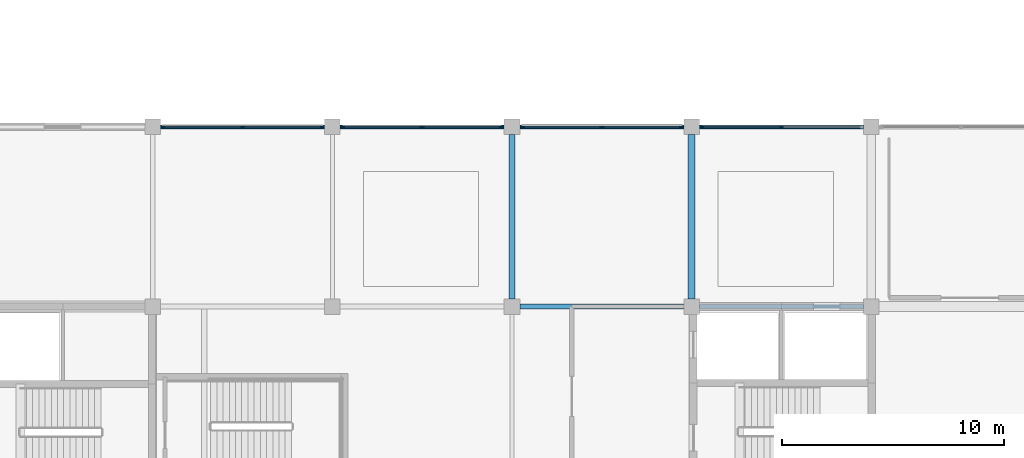
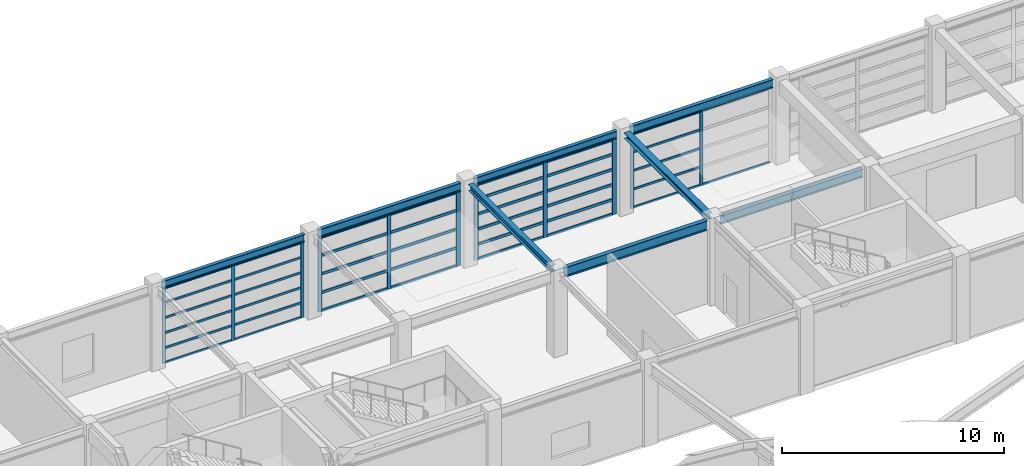
# One storey, part 24 of 56: 51 members, 8 beams, 4 elements without a shape of their own.
"""IFC4 building model written with IfcOpenShell, lengths in metres."""

import ifcopenshell
import ifcopenshell.guid

model = None  # the IFC model being written
_history = None  # IfcOwnerHistory: only IFC2X3 demands one
_inside = {}  # id of a spatial element -> (the spatial element, [elements in it])
_under = {}  # id of a project, library or spatial element -> (it, [spatial elements below it])
_declared = {}  # id of a project -> (the project, [libraries it declares])
_typed = {}  # id of a type object -> (the type object, [elements of that type])
_made_of = {}  # id of a material, layer set ... -> (it, [elements and type objects made of it])


def new_model(schema):
    """Start an empty IFC model of exactly this schema.

    Asked for "IFC4X3", IfcOpenShell would pick the latest addendum, in which some entities
    have other attributes; the version numbers below select the first issue.
    IFC2X3 requires an IfcOwnerHistory on every rooted entity: one is made here for all.
    """
    global model, _history
    if schema == "IFC4X3":
        model = ifcopenshell.file(schema_version=(4, 3, 0, 0))
    else:
        model = ifcopenshell.file(schema=schema)
    _inside.clear()
    _under.clear()
    _declared.clear()
    _typed.clear()
    _made_of.clear()
    _history = None
    if model.schema == "IFC2X3":
        org = make("IfcOrganization", Name="unknown")
        user = make(
            "IfcPersonAndOrganization",
            ThePerson=make("IfcPerson", FamilyName="unknown"),
            TheOrganization=org,
        )
        app = make(
            "IfcApplication",
            ApplicationDeveloper=org,
            Version="unknown",
            ApplicationFullName="unknown",
            ApplicationIdentifier="unknown",
        )
        _history = make(
            "IfcOwnerHistory",
            OwningUser=user,
            OwningApplication=app,
            ChangeAction="ADDED",
            CreationDate=0,
        )
    return model


def make(cls, **values):
    """One entity of the class cls with the attributes given. An attribute that is None is left unset."""
    return model.create_entity(
        cls, **{name: value for name, value in values.items() if value is not None}
    )


def rooted(cls, **values):
    """An entity with a GlobalId (a new one), such as an element, a storey or a relation."""
    return make(cls, GlobalId=ifcopenshell.guid.new(), OwnerHistory=_history, **values)


def si_unit(unit_type, name, prefix=None):
    """IfcSIUnit, for example si_unit("LENGTHUNIT", "METRE", prefix="MILLI")."""
    return make("IfcSIUnit", UnitType=unit_type, Prefix=prefix, Name=name)


def assignment(units):
    """IfcUnitAssignment: the units of a project."""
    return None if units is None else make("IfcUnitAssignment", Units=units)


def point(xyz):
    """IfcCartesianPoint."""
    return None if xyz is None else make("IfcCartesianPoint", Coordinates=xyz)


def direction(xyz):
    """IfcDirection."""
    return None if xyz is None else make("IfcDirection", DirectionRatios=xyz)


def frame(location, z_axis=None, x_axis=None):
    """IfcAxis2Placement3D, a coordinate frame: its origin and axes. An axis left out is left unset."""
    return make(
        "IfcAxis2Placement3D",
        Location=point(location),
        Axis=direction(z_axis),
        RefDirection=direction(x_axis),
    )


def frame_2d(location, x_axis=None):
    """IfcAxis2Placement2D, a coordinate frame in the plane: its origin and x axis."""
    return make(
        "IfcAxis2Placement2D", Location=point(location), RefDirection=direction(x_axis)
    )


def origin():
    """The frame at (0, 0, 0) with its axes left unset."""
    return frame((0.0, 0.0, 0.0))


def origin_2d():
    """The frame at (0, 0) in the plane with its x axis left unset."""
    return frame_2d((0.0, 0.0))


def place(relative_to, where):
    """IfcLocalPlacement: puts the frame where relative to a parent placement (None: the world)."""
    return make(
        "IfcLocalPlacement", PlacementRelTo=relative_to, RelativePlacement=where
    )


def context(
    kind, dimensions, precision=None, world=None, true_north=None, identifier=None
):
    """IfcGeometricRepresentationContext, for example the 3D "Model" context."""
    return make(
        "IfcGeometricRepresentationContext",
        ContextIdentifier=identifier,
        ContextType=kind,
        CoordinateSpaceDimension=dimensions,
        Precision=precision,
        WorldCoordinateSystem=world,
        TrueNorth=true_north,
    )


def subcontext(parent, identifier, kind, view, scale=None):
    """IfcGeometricRepresentationSubContext, for example "Body" below "Model"."""
    return make(
        "IfcGeometricRepresentationSubContext",
        ContextIdentifier=identifier,
        ContextType=kind,
        ParentContext=parent,
        TargetScale=scale,
        TargetView=view,
    )


def project(units=None, contexts=None):
    """IfcProject with its units and contexts."""
    return rooted(
        "IfcProject",
        Name="project",
        RepresentationContexts=contexts,
        UnitsInContext=assignment(units),
    )


def spatial(cls, under=None, at=None, **own):
    """A site, building, storey or space (cls), placed at a placement, below another one or the project."""
    s = rooted(cls, ObjectPlacement=at, **own)
    if under is not None:
        _under.setdefault(under.id(), (under, []))[1].append(s)
    return s


def profile(cls, at=None, kind="AREA", **sizes):
    """A parametric profile (cls). Its sizes go by their IFC names, for example OverallWidth=200.0."""
    return make(cls, ProfileType=kind, Position=at, **sizes)


def rectangle(**sizes):
    """IfcRectangleProfileDef."""
    return profile("IfcRectangleProfileDef", **sizes)


def i_section(**sizes):
    """IfcIShapeProfileDef."""
    return profile("IfcIShapeProfileDef", **sizes)


def extrude(swept, where, along, depth):
    """IfcExtrudedAreaSolid: the profile swept, set in the frame where, extruded along a direction by depth."""
    return make(
        "IfcExtrudedAreaSolid",
        SweptArea=swept,
        Position=where,
        ExtrudedDirection=direction(along),
        Depth=depth,
    )


def shape(context_of_items, identifier, shape_type, items):
    """IfcShapeRepresentation: the items that make up one representation, for example the "Body"."""
    return make(
        "IfcShapeRepresentation",
        ContextOfItems=context_of_items,
        RepresentationIdentifier=identifier,
        RepresentationType=shape_type,
        Items=items,
    )


def material(Name=None, Category=None):
    """IfcMaterial."""
    return make("IfcMaterial", Name=Name, Category=Category)


def material_profile(
    of_material, cross_section, Name=None, Category=None, Priority=None
):
    """IfcMaterialProfile: a cross section and its material."""
    return make(
        "IfcMaterialProfile",
        Name=Name,
        Material=of_material,
        Profile=cross_section,
        Priority=Priority,
        Category=Category,
    )


def profile_set(profiles, Name=None, composite=None):
    """IfcMaterialProfileSet."""
    return make(
        "IfcMaterialProfileSet",
        Name=Name,
        MaterialProfiles=profiles,
        CompositeProfile=composite,
    )


def made_of(thing, what):
    """Note that an element or type object is made of a material, layer set ...; save() writes the relation."""
    if what is not None:
        _made_of.setdefault(what.id(), (what, []))[1].append(thing)
    return thing


def type_object(cls, material=None, **own):
    """A type object (cls), such as IfcWallType, which elements share."""
    return made_of(rooted(cls, **own), material)


def element(
    cls,
    number,
    at=None,
    inside=None,
    cuts=None,
    type_object=None,
    material=None,
    context=None,
    identifier="Body",
    shape_type=None,
    held_by="IfcProductDefinitionShape",
    body=None,
    shapes=None,
    **own,
):
    """One element of the class cls, such as IfcWall. Its Tag is "e" and its number.

    at: its placement. inside: the storey or other place that contains it. cuts: it is an
    opening in that element (IfcRelVoidsElement). A single representation is given by context,
    identifier, shape_type and body (its items); several are given by shapes. held_by: the class
    of the entity that holds the representations. save() writes the other relations.
    """
    e = rooted(cls, Tag="e%d" % number, ObjectPlacement=at, **own)
    if body is not None:
        shapes = [shape(context, identifier, shape_type, body)]
    if shapes is not None:
        e.Representation = make(held_by, Representations=shapes)
    if inside is not None:
        _inside.setdefault(inside.id(), (inside, []))[1].append(e)
    if cuts is not None:
        rooted(
            "IfcRelVoidsElement", RelatingBuildingElement=cuts, RelatedOpeningElement=e
        )
    if type_object is not None:
        _typed.setdefault(type_object.id(), (type_object, []))[1].append(e)
    return made_of(e, material)


def aggregate(whole, parts):
    """IfcRelAggregates: a whole, such as a stair, and the parts it consists of."""
    return rooted("IfcRelAggregates", RelatingObject=whole, RelatedObjects=parts)


def save(model, path):
    """Write the relations noted so far, then the file.

    IfcRelAggregates (storeys below a building ...), IfcRelContainedInSpatialStructure (elements
    in a storey), IfcRelDefinesByType, IfcRelAssociatesMaterial and IfcRelDeclares: one each for
    every whole, place, type object, material and project.
    """
    for whole, parts in _under.values():
        aggregate(whole, parts)
    for where, things in _inside.values():
        rooted(
            "IfcRelContainedInSpatialStructure",
            RelatedElements=things,
            RelatingStructure=where,
        )
    for kind, things in _typed.values():
        rooted("IfcRelDefinesByType", RelatedObjects=things, RelatingType=kind)
    for what, things in _made_of.values():
        rooted("IfcRelAssociatesMaterial", RelatedObjects=things, RelatingMaterial=what)
    for by, libraries in _declared.values():
        rooted("IfcRelDeclares", RelatingContext=by, RelatedDefinitions=libraries)
    model.write(path)


model = new_model("IFC4")

# Units and contexts
model_context = context("Model", 3, precision=1e-05, world=origin(), true_north=direction((0.0, 1.0)))
body_context = subcontext(model_context, "Body", "Model", "MODEL_VIEW")
ifc_project = project(units=[si_unit("LENGTHUNIT", "METRE"), si_unit("AREAUNIT", "SQUARE_METRE"), si_unit("VOLUMEUNIT", "CUBIC_METRE"), si_unit("PLANEANGLEUNIT", "RADIAN"), si_unit("MASSUNIT", "GRAM", prefix="KILO")], contexts=[model_context])

# Site, building, storey
site_placement = place(None, origin())
site = spatial("IfcSite", under=ifc_project, at=site_placement, CompositionType="ELEMENT")
building_placement = place(site_placement, origin())
building = spatial("IfcBuilding", under=site, at=building_placement, Name="Parian Resonance Hall", CompositionType="ELEMENT")
storey_placement = place(building_placement, frame((0.0, 0.0, 5.39990234375)))
storey = spatial("IfcBuildingStorey", under=building, at=storey_placement, Name="L01", CompositionType="ELEMENT", Elevation=5.39990234375)

# Beams
ifc_material_1 = material(Name="Steel S355", Category="steel")
ifc_material_profile_1 = material_profile(ifc_material_1, i_section(OverallWidth=0.304931640625, OverallDepth=0.30810546875, WebThickness=0.010009765625, FlangeThickness=0.015380859375, FilletRadius=0.01513671875, at=origin_2d()), Name="W310x97")
ifc_profile_set_1 = profile_set([ifc_material_profile_1], Name="Steel S355")
beam_type_1 = type_object("IfcBeamType", Name="BM-W310x97", PredefinedType="BEAM", material=ifc_profile_set_1)
beam_1_placement = place(storey_placement, frame((56.699951171875, 81.35009765625, 4.406005859375), z_axis=(0.0, 1.0, 0.0), x_axis=(-1.0, 0.0, 0.0)))
element("IfcBeam", 1, at=beam_1_placement, inside=storey, type_object=beam_type_1, Name="GY-L01-0604", PredefinedType="BEAM", context=body_context, shape_type="SweptSolid", body=[
    extrude(i_section(OverallWidth=0.304931640625, OverallDepth=0.30810546875, WebThickness=0.010009765625, FlangeThickness=0.015380859375, FilletRadius=0.01513671875, at=origin_2d()), origin(), (0.0, 0.0, 1.0), 7.39990234375),
])
ifc_material_2 = material(Name="Steel S355", Category="steel")
ifc_material_profile_2 = material_profile(ifc_material_2, i_section(OverallWidth=0.2548828125, OverallDepth=0.35693359375, WebThickness=0.010498046875, FlangeThickness=0.018310546875, FilletRadius=0.01513671875, at=origin_2d()), Name="W360x101")
ifc_profile_set_2 = profile_set([ifc_material_profile_2], Name="Steel S355")
beam_type_2 = type_object("IfcBeamType", Name="BM-W360x101", PredefinedType="SPANDREL", material=ifc_profile_set_2)
beam_2_placement = place(storey_placement, frame((48.60009765625, 81.35009765625, 4.381591796875), z_axis=(0.0, 1.0, 0.0), x_axis=(-1.0, 0.0, 0.0)))
element("IfcBeam", 2, at=beam_2_placement, inside=storey, type_object=beam_type_2, Name="GY-L01-0602", PredefinedType="SPANDREL", context=body_context, shape_type="SweptSolid", body=[
    extrude(i_section(OverallWidth=0.2548828125, OverallDepth=0.35693359375, WebThickness=0.010498046875, FlangeThickness=0.018310546875, FilletRadius=0.01513671875, at=origin_2d()), origin(), (0.0, 0.0, 1.0), 7.39990234375),
])
ifc_material_3 = material(Name="Steel S355", Category="steel")
ifc_material_profile_3 = material_profile(ifc_material_3, i_section(OverallWidth=0.180908203125, OverallDepth=0.4169921875, WebThickness=0.010986328125, FlangeThickness=0.018310546875, FilletRadius=0.01513671875, at=origin_2d()), Name="W410x85")
ifc_profile_set_3 = profile_set([ifc_material_profile_3], Name="Steel S355")
beam_type_3 = type_object("IfcBeamType", Name="BM-W410x85", PredefinedType="SPANDREL", material=ifc_profile_set_3)
beam_3_placement = place(storey_placement, frame((32.75, 89.10009765625, 4.3515625), z_axis=(1.0, 0.0, 0.0), x_axis=(0.0, 1.0, 0.0)))
element("IfcBeam", 3, at=beam_3_placement, inside=storey, type_object=beam_type_3, Name="GX-L01-0531", PredefinedType="SPANDREL", context=body_context, shape_type="SweptSolid", body=[
    extrude(i_section(OverallWidth=0.180908203125, OverallDepth=0.4169921875, WebThickness=0.010986328125, FlangeThickness=0.018310546875, FilletRadius=0.01513671875, at=origin_2d()), origin(), (0.0, 0.0, 1.0), 7.39990234375),
])
beam_4_placement = place(storey_placement, frame((48.949951171875, 89.10009765625, 4.3515625), z_axis=(1.0, 0.0, 0.0), x_axis=(0.0, 1.0, 0.0)))
element("IfcBeam", 4, at=beam_4_placement, inside=storey, type_object=beam_type_3, Name="GX-L01-0537", PredefinedType="SPANDREL", context=body_context, shape_type="SweptSolid", body=[
    extrude(i_section(OverallWidth=0.180908203125, OverallDepth=0.4169921875, WebThickness=0.010986328125, FlangeThickness=0.018310546875, FilletRadius=0.01513671875, at=origin_2d()), origin(), (0.0, 0.0, 1.0), 7.400146484375),
])
ifc_material_4 = material(Name="Steel S355", Category="steel")
ifc_material_profile_4 = material_profile(ifc_material_4, i_section(OverallWidth=0.194091796875, OverallDepth=0.468994140625, WebThickness=0.0126953125, FlangeThickness=0.0205078125, FilletRadius=0.01513671875, at=origin_2d()), Name="W460x106")
ifc_profile_set_4 = profile_set([ifc_material_profile_4], Name="Steel S355")
beam_type_4 = type_object("IfcBeamType", Name="BM-W460x106", PredefinedType="SPANDREL", material=ifc_profile_set_4)
for number, where, z_axis, x_axis, name in (
    (5, (40.85009765625, 89.10009765625, 4.32568359375), (1.0, 0.0, 0.0), (0.0, 1.0, 0.0), "GX-L01-0534"),
    (6, (57.050048828125, 89.10009765625, 4.32568359375), (1.0, 0.0, 0.0), (0.0, 1.0, 0.0), "GX-L01-0540"),
):
    element("IfcBeam", number, at=place(storey_placement, frame(where, z_axis=z_axis, x_axis=x_axis)), inside=storey, type_object=beam_type_4, Name=name, PredefinedType="SPANDREL", context=body_context, shape_type="SweptSolid", body=[
        extrude(i_section(OverallWidth=0.194091796875, OverallDepth=0.468994140625, WebThickness=0.0126953125, FlangeThickness=0.0205078125, FilletRadius=0.01513671875, at=origin_2d()), origin(), (0.0, 0.0, 1.0), 7.39990234375),
    ])
ifc_material_5 = material(Name="Steel S355", Category="steel")
ifc_material_profile_5 = material_profile(ifc_material_5, i_section(OverallWidth=0.19091796875, OverallDepth=0.4599609375, WebThickness=0.010009765625, FlangeThickness=0.01611328125, FilletRadius=0.01513671875, at=origin_2d()), Name="W460x82")
ifc_profile_set_5 = profile_set([ifc_material_profile_5], Name="Steel S355")
beam_type_5 = type_object("IfcBeamType", Name="BM-W460x82", PredefinedType="BEAM", material=ifc_profile_set_5)
beam_5_placement = place(storey_placement, frame((57.050048828125, 81.0, 4.330078125), z_axis=(1.0, 0.0, 0.0), x_axis=(0.0, 1.0, 0.0)))
element("IfcBeam", 7, at=beam_5_placement, inside=storey, type_object=beam_type_5, Name="GX-L01-0539", PredefinedType="BEAM", context=body_context, shape_type="SweptSolid", body=[
    extrude(i_section(OverallWidth=0.19091796875, OverallDepth=0.4599609375, WebThickness=0.010009765625, FlangeThickness=0.01611328125, FilletRadius=0.01513671875, at=origin_2d()), origin(), (0.0, 0.0, 1.0), 7.39990234375),
])
ifc_material_6 = material(Name="Steel S355", Category="steel")
ifc_material_profile_6 = material_profile(ifc_material_6, i_section(OverallWidth=0.208984375, OverallDepth=0.532958984375, WebThickness=0.01025390625, FlangeThickness=0.015625, FilletRadius=0.017822265625, at=origin_2d()), Name="W530x92")
ifc_profile_set_6 = profile_set([ifc_material_profile_6], Name="Steel S355")
beam_type_6 = type_object("IfcBeamType", Name="BM-W530x92", PredefinedType="BEAM", material=ifc_profile_set_6)
beam_6_placement = place(storey_placement, frame((48.949951171875, 81.0, 4.293701171875), z_axis=(1.0, 0.0, 0.0), x_axis=(0.0, 1.0, 0.0)))
element("IfcBeam", 8, at=beam_6_placement, inside=storey, type_object=beam_type_6, Name="GX-L01-0536", PredefinedType="BEAM", context=body_context, shape_type="SweptSolid", body=[
    extrude(i_section(OverallWidth=0.208984375, OverallDepth=0.532958984375, WebThickness=0.01025390625, FlangeThickness=0.015625, FilletRadius=0.017822265625, at=origin_2d()), origin(), (0.0, 0.0, 1.0), 7.400146484375),
])

# Curtain wall, members
ifc_material_7 = material(Name="Bronze-anodised aluminium frame", Category="aluminium")
curtain_wall_type_1 = type_object("IfcCurtainWallType", Name="CW-SYS-06", PredefinedType="NOTDEFINED", material=ifc_material_7)
curtain_wall_1_placement = place(storey_placement, origin())
curtain_wall_1 = element("IfcCurtainWall", 9, at=curtain_wall_1_placement, inside=storey, type_object=curtain_wall_type_1, Name="Curtain wall CW-L01-077", PredefinedType="NOTDEFINED")
ifc_material_8 = material(Name="Bronze-anodised aluminium frame", Category="aluminium")
ifc_material_profile_7 = material_profile(ifc_material_8, rectangle(XDim=0.06494140625, YDim=0.159912109375, at=origin_2d()), Name="CWM-65x160")
ifc_profile_set_7 = profile_set([ifc_material_profile_7], Name="Bronze-anodised aluminium frame")
member_type_1 = type_object("IfcMemberType", Name="CWM-65x160", PredefinedType="MULLION", material=ifc_profile_set_7)
member_1_placement = place(storey_placement, frame((32.862548828125, 89.10009765625, -0.0078125), z_axis=(0.0, 0.0, 1.0), x_axis=(0.0, 1.0, 0.0)))
member_1 = element("IfcMember", 10, at=member_1_placement, type_object=member_type_1, Name="CW-06 mullion 1", PredefinedType="MULLION", context=body_context, shape_type="SweptSolid", body=[
    extrude(rectangle(XDim=0.06494140625, YDim=0.159912109375, at=origin_2d()), origin(), (0.0, 0.0, 1.0), 4.155029296875),
])
member_2_placement = place(storey_placement, frame((36.449951171875, 89.10009765625, -0.0078125), z_axis=(0.0, 0.0, 1.0), x_axis=(0.0, 1.0, 0.0)))
member_2 = element("IfcMember", 11, at=member_2_placement, type_object=member_type_1, Name="CW-06 mullion 2", PredefinedType="MULLION", context=body_context, shape_type="SweptSolid", body=[
    extrude(rectangle(XDim=0.06494140625, YDim=0.159912109375, at=origin_2d()), origin(), (0.0, 0.0, 1.0), 4.155029296875),
])
member_3_placement = place(storey_placement, frame((40.03759765625, 89.10009765625, -0.0078125), z_axis=(0.0, 0.0, 1.0), x_axis=(0.0, 1.0, 0.0)))
member_3 = element("IfcMember", 12, at=member_3_placement, type_object=member_type_1, Name="CW-06 mullion 3", PredefinedType="MULLION", context=body_context, shape_type="SweptSolid", body=[
    extrude(rectangle(XDim=0.06494140625, YDim=0.159912109375, at=origin_2d()), origin(), (0.0, 0.0, 1.0), 4.155029296875),
])

ifc_material_9 = material(Name="Bronze-anodised aluminium frame", Category="aluminium")
curtain_wall_type_2 = type_object("IfcCurtainWallType", Name="CW-SYS-03", PredefinedType="NOTDEFINED", material=ifc_material_9)
curtain_wall_2_placement = place(storey_placement, origin())
curtain_wall_2 = element("IfcCurtainWall", 13, at=curtain_wall_2_placement, inside=storey, type_object=curtain_wall_type_2, Name="Curtain wall CW-L01-087", PredefinedType="NOTDEFINED")
member_4_placement = place(storey_placement, frame((57.16259765625, 89.10009765625, -0.0078125), z_axis=(0.0, 0.0, 1.0), x_axis=(0.0, 1.0, 0.0)))
member_4 = element("IfcMember", 14, at=member_4_placement, type_object=member_type_1, Name="CW-03 mullion 1", PredefinedType="MULLION", context=body_context, shape_type="SweptSolid", body=[
    extrude(rectangle(XDim=0.06494140625, YDim=0.159912109375, at=origin_2d()), origin(), (0.0, 0.0, 1.0), 4.10302734375),
])
member_5_placement = place(storey_placement, frame((60.75, 89.10009765625, -0.0078125), z_axis=(0.0, 0.0, 1.0), x_axis=(0.0, 1.0, 0.0)))
member_5 = element("IfcMember", 15, at=member_5_placement, type_object=member_type_1, Name="CW-03 mullion 2", PredefinedType="MULLION", context=body_context, shape_type="SweptSolid", body=[
    extrude(rectangle(XDim=0.06494140625, YDim=0.159912109375, at=origin_2d()), origin(), (0.0, 0.0, 1.0), 4.10302734375),
])

ifc_material_10 = material(Name="Bronze-anodised aluminium frame", Category="aluminium")
curtain_wall_type_3 = type_object("IfcCurtainWallType", Name="CW-SYS-01", PredefinedType="NOTDEFINED", material=ifc_material_10)
curtain_wall_3_placement = place(storey_placement, origin())
curtain_wall_3 = element("IfcCurtainWall", 16, at=curtain_wall_3_placement, inside=storey, type_object=curtain_wall_type_3, Name="Curtain wall CW-L01-080", PredefinedType="NOTDEFINED")
ifc_material_11 = material(Name="Bronze-anodised aluminium frame", Category="aluminium")
ifc_material_profile_8 = material_profile(ifc_material_11, rectangle(XDim=0.074951171875, YDim=0.199951171875, at=origin_2d()), Name="CWM-75x200")
ifc_profile_set_8 = profile_set([ifc_material_profile_8], Name="Bronze-anodised aluminium frame")
member_type_2 = type_object("IfcMemberType", Name="CWM-75x200", PredefinedType="MULLION", material=ifc_profile_set_8)
member_6_placement = place(storey_placement, frame((40.967529296875, 89.10009765625, -0.0078125), z_axis=(0.0, 0.0, 1.0), x_axis=(0.0, 1.0, 0.0)))
member_6 = element("IfcMember", 17, at=member_6_placement, type_object=member_type_2, Name="CW-01 mullion 1", PredefinedType="MULLION", context=body_context, shape_type="SweptSolid", body=[
    extrude(rectangle(XDim=0.074951171875, YDim=0.199951171875, at=origin_2d()), origin(), (0.0, 0.0, 1.0), 4.10302734375),
])
member_7_placement = place(storey_placement, frame((44.550048828125, 89.10009765625, -0.0078125), z_axis=(0.0, 0.0, 1.0), x_axis=(0.0, 1.0, 0.0)))
member_7 = element("IfcMember", 18, at=member_7_placement, type_object=member_type_2, Name="CW-01 mullion 2", PredefinedType="MULLION", context=body_context, shape_type="SweptSolid", body=[
    extrude(rectangle(XDim=0.074951171875, YDim=0.199951171875, at=origin_2d()), origin(), (0.0, 0.0, 1.0), 4.10302734375),
])
member_8_placement = place(storey_placement, frame((48.132568359375, 89.10009765625, -0.0078125), z_axis=(0.0, 0.0, 1.0), x_axis=(0.0, 1.0, 0.0)))
member_8 = element("IfcMember", 19, at=member_8_placement, type_object=member_type_2, Name="CW-01 mullion 3", PredefinedType="MULLION", context=body_context, shape_type="SweptSolid", body=[
    extrude(rectangle(XDim=0.074951171875, YDim=0.199951171875, at=origin_2d()), origin(), (0.0, 0.0, 1.0), 4.10302734375),
])

ifc_material_12 = material(Name="Bronze-anodised aluminium frame", Category="aluminium")
curtain_wall_type_4 = type_object("IfcCurtainWallType", Name="CW-SYS-02", PredefinedType="NOTDEFINED", material=ifc_material_12)
curtain_wall_4_placement = place(storey_placement, origin())
curtain_wall_4 = element("IfcCurtainWall", 20, at=curtain_wall_4_placement, inside=storey, type_object=curtain_wall_type_4, Name="Curtain wall CW-L01-084", PredefinedType="NOTDEFINED")
member_9_placement = place(storey_placement, frame((49.0673828125, 89.10009765625, -0.0078125), z_axis=(0.0, 0.0, 1.0), x_axis=(0.0, 1.0, 0.0)))
member_9 = element("IfcMember", 21, at=member_9_placement, type_object=member_type_2, Name="CW-02 mullion 1", PredefinedType="MULLION", context=body_context, shape_type="SweptSolid", body=[
    extrude(rectangle(XDim=0.074951171875, YDim=0.199951171875, at=origin_2d()), origin(), (0.0, 0.0, 1.0), 4.155029296875),
])
member_10_placement = place(storey_placement, frame((52.64990234375, 89.10009765625, -0.0078125), z_axis=(0.0, 0.0, 1.0), x_axis=(0.0, 1.0, 0.0)))
member_10 = element("IfcMember", 22, at=member_10_placement, type_object=member_type_2, Name="CW-02 mullion 2", PredefinedType="MULLION", context=body_context, shape_type="SweptSolid", body=[
    extrude(rectangle(XDim=0.074951171875, YDim=0.199951171875, at=origin_2d()), origin(), (0.0, 0.0, 1.0), 4.155029296875),
])
member_11_placement = place(storey_placement, frame((56.232421875, 89.10009765625, -0.0078125), z_axis=(0.0, 0.0, 1.0), x_axis=(0.0, 1.0, 0.0)))
member_11 = element("IfcMember", 23, at=member_11_placement, type_object=member_type_2, Name="CW-02 mullion 3", PredefinedType="MULLION", context=body_context, shape_type="SweptSolid", body=[
    extrude(rectangle(XDim=0.074951171875, YDim=0.199951171875, at=origin_2d()), origin(), (0.0, 0.0, 1.0), 4.155029296875),
])

# Member
ifc_material_13 = material(Name="Bronze-anodised aluminium frame", Category="aluminium")
ifc_material_profile_9 = material_profile(ifc_material_13, rectangle(XDim=0.06494140625, YDim=0.1201171875, at=origin_2d()), Name="CWT-65x120")
ifc_profile_set_9 = profile_set([ifc_material_profile_9], Name="Bronze-anodised aluminium frame")
member_type_3 = type_object("IfcMemberType", Name="CWT-65x120", PredefinedType="USERDEFINED", material=ifc_profile_set_9)
member_12_placement = place(storey_placement, frame((32.89501953125, 89.10009765625, 0.024658203125), z_axis=(1.0, 0.0, 0.0), x_axis=(0.0, 1.0, 0.0)))
member_12 = element("IfcMember", 24, at=member_12_placement, type_object=member_type_3, Name="CW-06 transom 1.1", ObjectType="TRANSOM", PredefinedType="USERDEFINED", context=body_context, shape_type="SweptSolid", body=[
    extrude(rectangle(XDim=0.06494140625, YDim=0.1201171875, at=origin_2d()), origin(), (0.0, 0.0, 1.0), 3.5224609375),
])

member_13_placement = place(storey_placement, frame((32.89501953125, 89.10009765625, 0.827392578125), z_axis=(1.0, 0.0, 0.0), x_axis=(0.0, 1.0, 0.0)))
member_13 = element("IfcMember", 25, at=member_13_placement, type_object=member_type_3, Name="CW-06 transom 1.2", ObjectType="TRANSOM", PredefinedType="USERDEFINED", context=body_context, shape_type="SweptSolid", body=[
    extrude(rectangle(XDim=0.06494140625, YDim=0.1201171875, at=origin_2d()), origin(), (0.0, 0.0, 1.0), 3.5224609375),
])

member_14_placement = place(storey_placement, frame((32.89501953125, 89.10009765625, 1.65478515625), z_axis=(1.0, 0.0, 0.0), x_axis=(0.0, 1.0, 0.0)))
member_14 = element("IfcMember", 26, at=member_14_placement, type_object=member_type_3, Name="CW-06 transom 1.3", ObjectType="TRANSOM", PredefinedType="USERDEFINED", context=body_context, shape_type="SweptSolid", body=[
    extrude(rectangle(XDim=0.06494140625, YDim=0.1201171875, at=origin_2d()), origin(), (0.0, 0.0, 1.0), 3.5224609375),
])

member_15_placement = place(storey_placement, frame((32.89501953125, 89.10009765625, 2.482177734375), z_axis=(1.0, 0.0, 0.0), x_axis=(0.0, 1.0, 0.0)))
member_15 = element("IfcMember", 27, at=member_15_placement, type_object=member_type_3, Name="CW-06 transom 1.4", ObjectType="TRANSOM", PredefinedType="USERDEFINED", context=body_context, shape_type="SweptSolid", body=[
    extrude(rectangle(XDim=0.06494140625, YDim=0.1201171875, at=origin_2d()), origin(), (0.0, 0.0, 1.0), 3.5224609375),
])

member_16_placement = place(storey_placement, frame((32.89501953125, 89.10009765625, 3.309814453125), z_axis=(1.0, 0.0, 0.0), x_axis=(0.0, 1.0, 0.0)))
member_16 = element("IfcMember", 28, at=member_16_placement, type_object=member_type_3, Name="CW-06 transom 1.5", ObjectType="TRANSOM", PredefinedType="USERDEFINED", context=body_context, shape_type="SweptSolid", body=[
    extrude(rectangle(XDim=0.06494140625, YDim=0.1201171875, at=origin_2d()), origin(), (0.0, 0.0, 1.0), 3.5224609375),
])

member_17_placement = place(storey_placement, frame((32.89501953125, 89.10009765625, 4.114501953125), z_axis=(1.0, 0.0, 0.0), x_axis=(0.0, 1.0, 0.0)))
member_17 = element("IfcMember", 29, at=member_17_placement, type_object=member_type_3, Name="CW-06 transom 1.6", ObjectType="TRANSOM", PredefinedType="USERDEFINED", context=body_context, shape_type="SweptSolid", body=[
    extrude(rectangle(XDim=0.06494140625, YDim=0.1201171875, at=origin_2d()), origin(), (0.0, 0.0, 1.0), 3.5224609375),
])

member_18_placement = place(storey_placement, frame((36.482421875, 89.10009765625, 0.024658203125), z_axis=(1.0, 0.0, 0.0), x_axis=(0.0, 1.0, 0.0)))
member_18 = element("IfcMember", 30, at=member_18_placement, type_object=member_type_3, Name="CW-06 transom 2.1", ObjectType="TRANSOM", PredefinedType="USERDEFINED", context=body_context, shape_type="SweptSolid", body=[
    extrude(rectangle(XDim=0.06494140625, YDim=0.1201171875, at=origin_2d()), origin(), (0.0, 0.0, 1.0), 3.5224609375),
])

member_19_placement = place(storey_placement, frame((36.482421875, 89.10009765625, 0.827392578125), z_axis=(1.0, 0.0, 0.0), x_axis=(0.0, 1.0, 0.0)))
member_19 = element("IfcMember", 31, at=member_19_placement, type_object=member_type_3, Name="CW-06 transom 2.2", ObjectType="TRANSOM", PredefinedType="USERDEFINED", context=body_context, shape_type="SweptSolid", body=[
    extrude(rectangle(XDim=0.06494140625, YDim=0.1201171875, at=origin_2d()), origin(), (0.0, 0.0, 1.0), 3.5224609375),
])

member_20_placement = place(storey_placement, frame((36.482421875, 89.10009765625, 1.65478515625), z_axis=(1.0, 0.0, 0.0), x_axis=(0.0, 1.0, 0.0)))
member_20 = element("IfcMember", 32, at=member_20_placement, type_object=member_type_3, Name="CW-06 transom 2.3", ObjectType="TRANSOM", PredefinedType="USERDEFINED", context=body_context, shape_type="SweptSolid", body=[
    extrude(rectangle(XDim=0.06494140625, YDim=0.1201171875, at=origin_2d()), origin(), (0.0, 0.0, 1.0), 3.5224609375),
])

member_21_placement = place(storey_placement, frame((36.482421875, 89.10009765625, 2.482177734375), z_axis=(1.0, 0.0, 0.0), x_axis=(0.0, 1.0, 0.0)))
member_21 = element("IfcMember", 33, at=member_21_placement, type_object=member_type_3, Name="CW-06 transom 2.4", ObjectType="TRANSOM", PredefinedType="USERDEFINED", context=body_context, shape_type="SweptSolid", body=[
    extrude(rectangle(XDim=0.06494140625, YDim=0.1201171875, at=origin_2d()), origin(), (0.0, 0.0, 1.0), 3.5224609375),
])

member_22_placement = place(storey_placement, frame((36.482421875, 89.10009765625, 3.309814453125), z_axis=(1.0, 0.0, 0.0), x_axis=(0.0, 1.0, 0.0)))
member_22 = element("IfcMember", 34, at=member_22_placement, type_object=member_type_3, Name="CW-06 transom 2.5", ObjectType="TRANSOM", PredefinedType="USERDEFINED", context=body_context, shape_type="SweptSolid", body=[
    extrude(rectangle(XDim=0.06494140625, YDim=0.1201171875, at=origin_2d()), origin(), (0.0, 0.0, 1.0), 3.5224609375),
])

member_23_placement = place(storey_placement, frame((36.482421875, 89.10009765625, 4.114501953125), z_axis=(1.0, 0.0, 0.0), x_axis=(0.0, 1.0, 0.0)))
member_23 = element("IfcMember", 35, at=member_23_placement, type_object=member_type_3, Name="CW-06 transom 2.6", ObjectType="TRANSOM", PredefinedType="USERDEFINED", context=body_context, shape_type="SweptSolid", body=[
    extrude(rectangle(XDim=0.06494140625, YDim=0.1201171875, at=origin_2d()), origin(), (0.0, 0.0, 1.0), 3.5224609375),
])

aggregate(curtain_wall_1, [member_1, member_2, member_3, member_12, member_13, member_14, member_15, member_16, member_17, member_18, member_19, member_20, member_21, member_22, member_23])

member_24_placement = place(storey_placement, frame((57.195068359375, 89.10009765625, 0.024658203125), z_axis=(1.0, 0.0, 0.0), x_axis=(0.0, 1.0, 0.0)))
member_24 = element("IfcMember", 36, at=member_24_placement, type_object=member_type_3, Name="CW-03 transom 1.1", ObjectType="TRANSOM", PredefinedType="USERDEFINED", context=body_context, shape_type="SweptSolid", body=[
    extrude(rectangle(XDim=0.06494140625, YDim=0.1201171875, at=origin_2d()), origin(), (0.0, 0.0, 1.0), 3.5224609375),
])

member_25_placement = place(storey_placement, frame((57.195068359375, 89.10009765625, 1.021484375), z_axis=(1.0, 0.0, 0.0), x_axis=(0.0, 1.0, 0.0)))
member_25 = element("IfcMember", 37, at=member_25_placement, type_object=member_type_3, Name="CW-03 transom 1.2", ObjectType="TRANSOM", PredefinedType="USERDEFINED", context=body_context, shape_type="SweptSolid", body=[
    extrude(rectangle(XDim=0.06494140625, YDim=0.1201171875, at=origin_2d()), origin(), (0.0, 0.0, 1.0), 3.5224609375),
])

member_26_placement = place(storey_placement, frame((57.195068359375, 89.10009765625, 2.04248046875), z_axis=(1.0, 0.0, 0.0), x_axis=(0.0, 1.0, 0.0)))
member_26 = element("IfcMember", 38, at=member_26_placement, type_object=member_type_3, Name="CW-03 transom 1.3", ObjectType="TRANSOM", PredefinedType="USERDEFINED", context=body_context, shape_type="SweptSolid", body=[
    extrude(rectangle(XDim=0.06494140625, YDim=0.1201171875, at=origin_2d()), origin(), (0.0, 0.0, 1.0), 3.5224609375),
])

member_27_placement = place(storey_placement, frame((57.195068359375, 89.10009765625, 3.063720703125), z_axis=(1.0, 0.0, 0.0), x_axis=(0.0, 1.0, 0.0)))
member_27 = element("IfcMember", 39, at=member_27_placement, type_object=member_type_3, Name="CW-03 transom 1.4", ObjectType="TRANSOM", PredefinedType="USERDEFINED", context=body_context, shape_type="SweptSolid", body=[
    extrude(rectangle(XDim=0.06494140625, YDim=0.1201171875, at=origin_2d()), origin(), (0.0, 0.0, 1.0), 3.5224609375),
])

member_28_placement = place(storey_placement, frame((57.195068359375, 89.10009765625, 4.0625), z_axis=(1.0, 0.0, 0.0), x_axis=(0.0, 1.0, 0.0)))
member_28 = element("IfcMember", 40, at=member_28_placement, type_object=member_type_3, Name="CW-03 transom 1.5", ObjectType="TRANSOM", PredefinedType="USERDEFINED", context=body_context, shape_type="SweptSolid", body=[
    extrude(rectangle(XDim=0.06494140625, YDim=0.1201171875, at=origin_2d()), origin(), (0.0, 0.0, 1.0), 3.5224609375),
])

member_29_placement = place(storey_placement, frame((60.782470703125, 89.10009765625, 0.024658203125), z_axis=(1.0, 0.0, 0.0), x_axis=(0.0, 1.0, 0.0)))
member_29 = element("IfcMember", 41, at=member_29_placement, type_object=member_type_3, Name="CW-03 transom 2.1", ObjectType="TRANSOM", PredefinedType="USERDEFINED", context=body_context, shape_type="SweptSolid", body=[
    extrude(rectangle(XDim=0.06494140625, YDim=0.1201171875, at=origin_2d()), origin(), (0.0, 0.0, 1.0), 3.5224609375),
])

aggregate(curtain_wall_2, [member_4, member_5, member_24, member_25, member_26, member_27, member_28, member_29])

ifc_material_14 = material(Name="Bronze-anodised aluminium frame", Category="aluminium")
ifc_material_profile_10 = material_profile(ifc_material_14, rectangle(XDim=0.074951171875, YDim=0.14990234375, at=origin_2d()), Name="CWT-75x150")
ifc_profile_set_10 = profile_set([ifc_material_profile_10], Name="Bronze-anodised aluminium frame")
member_type_4 = type_object("IfcMemberType", Name="CWT-75x150", PredefinedType="USERDEFINED", material=ifc_profile_set_10)
member_30_placement = place(storey_placement, frame((41.0048828125, 89.10009765625, 0.029541015625), z_axis=(1.0, 0.0, 0.0), x_axis=(0.0, 1.0, 0.0)))
member_30 = element("IfcMember", 42, at=member_30_placement, type_object=member_type_4, Name="CW-01 transom 1.1", ObjectType="TRANSOM", PredefinedType="USERDEFINED", context=body_context, shape_type="SweptSolid", body=[
    extrude(rectangle(XDim=0.074951171875, YDim=0.14990234375, at=origin_2d()), origin(), (0.0, 0.0, 1.0), 3.507568359375),
])

member_31_placement = place(storey_placement, frame((41.0048828125, 89.10009765625, 1.021484375), z_axis=(1.0, 0.0, 0.0), x_axis=(0.0, 1.0, 0.0)))
member_31 = element("IfcMember", 43, at=member_31_placement, type_object=member_type_4, Name="CW-01 transom 1.2", ObjectType="TRANSOM", PredefinedType="USERDEFINED", context=body_context, shape_type="SweptSolid", body=[
    extrude(rectangle(XDim=0.074951171875, YDim=0.14990234375, at=origin_2d()), origin(), (0.0, 0.0, 1.0), 3.507568359375),
])

member_32_placement = place(storey_placement, frame((41.0048828125, 89.10009765625, 2.04248046875), z_axis=(1.0, 0.0, 0.0), x_axis=(0.0, 1.0, 0.0)))
member_32 = element("IfcMember", 44, at=member_32_placement, type_object=member_type_4, Name="CW-01 transom 1.3", ObjectType="TRANSOM", PredefinedType="USERDEFINED", context=body_context, shape_type="SweptSolid", body=[
    extrude(rectangle(XDim=0.074951171875, YDim=0.14990234375, at=origin_2d()), origin(), (0.0, 0.0, 1.0), 3.507568359375),
])

member_33_placement = place(storey_placement, frame((41.0048828125, 89.10009765625, 3.063720703125), z_axis=(1.0, 0.0, 0.0), x_axis=(0.0, 1.0, 0.0)))
member_33 = element("IfcMember", 45, at=member_33_placement, type_object=member_type_4, Name="CW-01 transom 1.4", ObjectType="TRANSOM", PredefinedType="USERDEFINED", context=body_context, shape_type="SweptSolid", body=[
    extrude(rectangle(XDim=0.074951171875, YDim=0.14990234375, at=origin_2d()), origin(), (0.0, 0.0, 1.0), 3.507568359375),
])

member_34_placement = place(storey_placement, frame((41.0048828125, 89.10009765625, 4.0576171875), z_axis=(1.0, 0.0, 0.0), x_axis=(0.0, 1.0, 0.0)))
member_34 = element("IfcMember", 46, at=member_34_placement, type_object=member_type_4, Name="CW-01 transom 1.5", ObjectType="TRANSOM", PredefinedType="USERDEFINED", context=body_context, shape_type="SweptSolid", body=[
    extrude(rectangle(XDim=0.074951171875, YDim=0.14990234375, at=origin_2d()), origin(), (0.0, 0.0, 1.0), 3.507568359375),
])

member_35_placement = place(storey_placement, frame((44.58740234375, 89.10009765625, 0.029541015625), z_axis=(1.0, 0.0, 0.0), x_axis=(0.0, 1.0, 0.0)))
member_35 = element("IfcMember", 47, at=member_35_placement, type_object=member_type_4, Name="CW-01 transom 2.1", ObjectType="TRANSOM", PredefinedType="USERDEFINED", context=body_context, shape_type="SweptSolid", body=[
    extrude(rectangle(XDim=0.074951171875, YDim=0.14990234375, at=origin_2d()), origin(), (0.0, 0.0, 1.0), 3.507568359375),
])

member_36_placement = place(storey_placement, frame((44.58740234375, 89.10009765625, 1.021484375), z_axis=(1.0, 0.0, 0.0), x_axis=(0.0, 1.0, 0.0)))
member_36 = element("IfcMember", 48, at=member_36_placement, type_object=member_type_4, Name="CW-01 transom 2.2", ObjectType="TRANSOM", PredefinedType="USERDEFINED", context=body_context, shape_type="SweptSolid", body=[
    extrude(rectangle(XDim=0.074951171875, YDim=0.14990234375, at=origin_2d()), origin(), (0.0, 0.0, 1.0), 3.507568359375),
])

member_37_placement = place(storey_placement, frame((44.58740234375, 89.10009765625, 2.04248046875), z_axis=(1.0, 0.0, 0.0), x_axis=(0.0, 1.0, 0.0)))
member_37 = element("IfcMember", 49, at=member_37_placement, type_object=member_type_4, Name="CW-01 transom 2.3", ObjectType="TRANSOM", PredefinedType="USERDEFINED", context=body_context, shape_type="SweptSolid", body=[
    extrude(rectangle(XDim=0.074951171875, YDim=0.14990234375, at=origin_2d()), origin(), (0.0, 0.0, 1.0), 3.507568359375),
])

member_38_placement = place(storey_placement, frame((44.58740234375, 89.10009765625, 3.063720703125), z_axis=(1.0, 0.0, 0.0), x_axis=(0.0, 1.0, 0.0)))
member_38 = element("IfcMember", 50, at=member_38_placement, type_object=member_type_4, Name="CW-01 transom 2.4", ObjectType="TRANSOM", PredefinedType="USERDEFINED", context=body_context, shape_type="SweptSolid", body=[
    extrude(rectangle(XDim=0.074951171875, YDim=0.14990234375, at=origin_2d()), origin(), (0.0, 0.0, 1.0), 3.507568359375),
])

member_39_placement = place(storey_placement, frame((44.58740234375, 89.10009765625, 4.0576171875), z_axis=(1.0, 0.0, 0.0), x_axis=(0.0, 1.0, 0.0)))
member_39 = element("IfcMember", 51, at=member_39_placement, type_object=member_type_4, Name="CW-01 transom 2.5", ObjectType="TRANSOM", PredefinedType="USERDEFINED", context=body_context, shape_type="SweptSolid", body=[
    extrude(rectangle(XDim=0.074951171875, YDim=0.14990234375, at=origin_2d()), origin(), (0.0, 0.0, 1.0), 3.507568359375),
])

aggregate(curtain_wall_3, [member_6, member_7, member_8, member_30, member_31, member_32, member_33, member_34, member_35, member_36, member_37, member_38, member_39])

member_40_placement = place(storey_placement, frame((49.10498046875, 89.10009765625, 0.029541015625), z_axis=(1.0, 0.0, 0.0), x_axis=(0.0, 1.0, 0.0)))
member_40 = element("IfcMember", 52, at=member_40_placement, type_object=member_type_4, Name="CW-02 transom 1.1", ObjectType="TRANSOM", PredefinedType="USERDEFINED", context=body_context, shape_type="SweptSolid", body=[
    extrude(rectangle(XDim=0.074951171875, YDim=0.14990234375, at=origin_2d()), origin(), (0.0, 0.0, 1.0), 3.507568359375),
])

member_41_placement = place(storey_placement, frame((49.10498046875, 89.10009765625, 0.827392578125), z_axis=(1.0, 0.0, 0.0), x_axis=(0.0, 1.0, 0.0)))
member_41 = element("IfcMember", 53, at=member_41_placement, type_object=member_type_4, Name="CW-02 transom 1.2", ObjectType="TRANSOM", PredefinedType="USERDEFINED", context=body_context, shape_type="SweptSolid", body=[
    extrude(rectangle(XDim=0.074951171875, YDim=0.14990234375, at=origin_2d()), origin(), (0.0, 0.0, 1.0), 3.507568359375),
])

member_42_placement = place(storey_placement, frame((49.10498046875, 89.10009765625, 1.65478515625), z_axis=(1.0, 0.0, 0.0), x_axis=(0.0, 1.0, 0.0)))
member_42 = element("IfcMember", 54, at=member_42_placement, type_object=member_type_4, Name="CW-02 transom 1.3", ObjectType="TRANSOM", PredefinedType="USERDEFINED", context=body_context, shape_type="SweptSolid", body=[
    extrude(rectangle(XDim=0.074951171875, YDim=0.14990234375, at=origin_2d()), origin(), (0.0, 0.0, 1.0), 3.507568359375),
])

member_43_placement = place(storey_placement, frame((49.10498046875, 89.10009765625, 2.482177734375), z_axis=(1.0, 0.0, 0.0), x_axis=(0.0, 1.0, 0.0)))
member_43 = element("IfcMember", 55, at=member_43_placement, type_object=member_type_4, Name="CW-02 transom 1.4", ObjectType="TRANSOM", PredefinedType="USERDEFINED", context=body_context, shape_type="SweptSolid", body=[
    extrude(rectangle(XDim=0.074951171875, YDim=0.14990234375, at=origin_2d()), origin(), (0.0, 0.0, 1.0), 3.507568359375),
])

member_44_placement = place(storey_placement, frame((49.10498046875, 89.10009765625, 3.309814453125), z_axis=(1.0, 0.0, 0.0), x_axis=(0.0, 1.0, 0.0)))
member_44 = element("IfcMember", 56, at=member_44_placement, type_object=member_type_4, Name="CW-02 transom 1.5", ObjectType="TRANSOM", PredefinedType="USERDEFINED", context=body_context, shape_type="SweptSolid", body=[
    extrude(rectangle(XDim=0.074951171875, YDim=0.14990234375, at=origin_2d()), origin(), (0.0, 0.0, 1.0), 3.507568359375),
])

member_45_placement = place(storey_placement, frame((49.10498046875, 89.10009765625, 4.109619140625), z_axis=(1.0, 0.0, 0.0), x_axis=(0.0, 1.0, 0.0)))
member_45 = element("IfcMember", 57, at=member_45_placement, type_object=member_type_4, Name="CW-02 transom 1.6", ObjectType="TRANSOM", PredefinedType="USERDEFINED", context=body_context, shape_type="SweptSolid", body=[
    extrude(rectangle(XDim=0.074951171875, YDim=0.14990234375, at=origin_2d()), origin(), (0.0, 0.0, 1.0), 3.507568359375),
])

member_46_placement = place(storey_placement, frame((52.6875, 89.10009765625, 0.029541015625), z_axis=(1.0, 0.0, 0.0), x_axis=(0.0, 1.0, 0.0)))
member_46 = element("IfcMember", 58, at=member_46_placement, type_object=member_type_4, Name="CW-02 transom 2.1", ObjectType="TRANSOM", PredefinedType="USERDEFINED", context=body_context, shape_type="SweptSolid", body=[
    extrude(rectangle(XDim=0.074951171875, YDim=0.14990234375, at=origin_2d()), origin(), (0.0, 0.0, 1.0), 3.507568359375),
])

member_47_placement = place(storey_placement, frame((52.6875, 89.10009765625, 0.827392578125), z_axis=(1.0, 0.0, 0.0), x_axis=(0.0, 1.0, 0.0)))
member_47 = element("IfcMember", 59, at=member_47_placement, type_object=member_type_4, Name="CW-02 transom 2.2", ObjectType="TRANSOM", PredefinedType="USERDEFINED", context=body_context, shape_type="SweptSolid", body=[
    extrude(rectangle(XDim=0.074951171875, YDim=0.14990234375, at=origin_2d()), origin(), (0.0, 0.0, 1.0), 3.507568359375),
])

member_48_placement = place(storey_placement, frame((52.6875, 89.10009765625, 1.65478515625), z_axis=(1.0, 0.0, 0.0), x_axis=(0.0, 1.0, 0.0)))
member_48 = element("IfcMember", 60, at=member_48_placement, type_object=member_type_4, Name="CW-02 transom 2.3", ObjectType="TRANSOM", PredefinedType="USERDEFINED", context=body_context, shape_type="SweptSolid", body=[
    extrude(rectangle(XDim=0.074951171875, YDim=0.14990234375, at=origin_2d()), origin(), (0.0, 0.0, 1.0), 3.507568359375),
])

member_49_placement = place(storey_placement, frame((52.6875, 89.10009765625, 2.482177734375), z_axis=(1.0, 0.0, 0.0), x_axis=(0.0, 1.0, 0.0)))
member_49 = element("IfcMember", 61, at=member_49_placement, type_object=member_type_4, Name="CW-02 transom 2.4", ObjectType="TRANSOM", PredefinedType="USERDEFINED", context=body_context, shape_type="SweptSolid", body=[
    extrude(rectangle(XDim=0.074951171875, YDim=0.14990234375, at=origin_2d()), origin(), (0.0, 0.0, 1.0), 3.507568359375),
])

member_50_placement = place(storey_placement, frame((52.6875, 89.10009765625, 3.309814453125), z_axis=(1.0, 0.0, 0.0), x_axis=(0.0, 1.0, 0.0)))
member_50 = element("IfcMember", 62, at=member_50_placement, type_object=member_type_4, Name="CW-02 transom 2.5", ObjectType="TRANSOM", PredefinedType="USERDEFINED", context=body_context, shape_type="SweptSolid", body=[
    extrude(rectangle(XDim=0.074951171875, YDim=0.14990234375, at=origin_2d()), origin(), (0.0, 0.0, 1.0), 3.507568359375),
])

member_51_placement = place(storey_placement, frame((52.6875, 89.10009765625, 4.109619140625), z_axis=(1.0, 0.0, 0.0), x_axis=(0.0, 1.0, 0.0)))
member_51 = element("IfcMember", 63, at=member_51_placement, type_object=member_type_4, Name="CW-02 transom 2.6", ObjectType="TRANSOM", PredefinedType="USERDEFINED", context=body_context, shape_type="SweptSolid", body=[
    extrude(rectangle(XDim=0.074951171875, YDim=0.14990234375, at=origin_2d()), origin(), (0.0, 0.0, 1.0), 3.507568359375),
])

aggregate(curtain_wall_4, [member_9, member_10, member_11, member_40, member_41, member_42, member_43, member_44, member_45, member_46, member_47, member_48, member_49, member_50, member_51])

save(model, "model.ifc")
